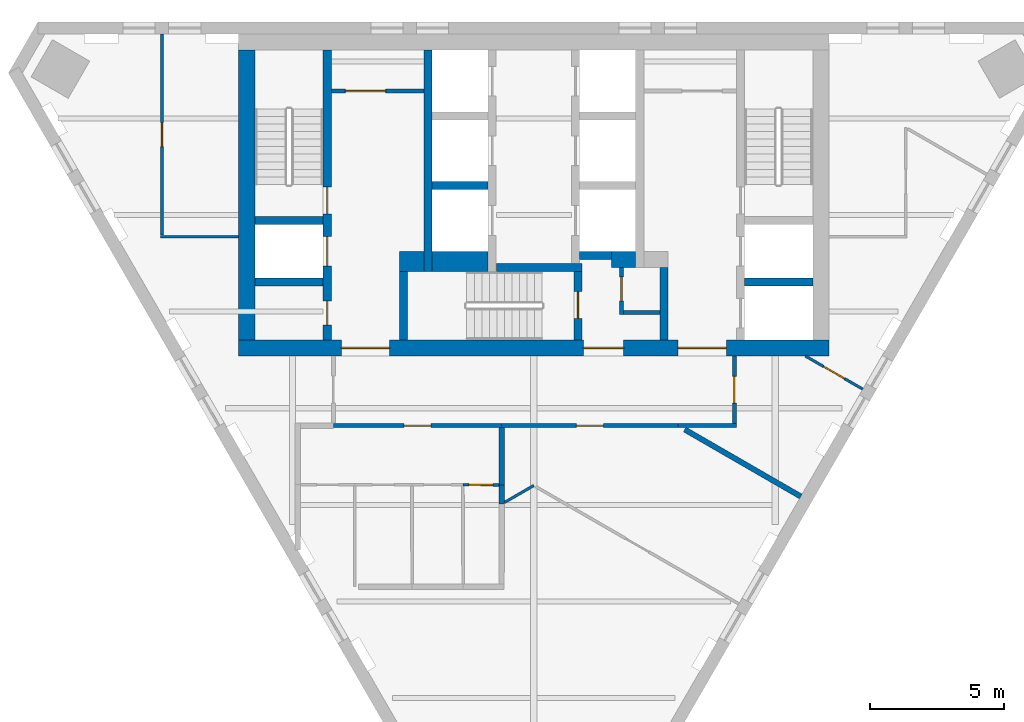
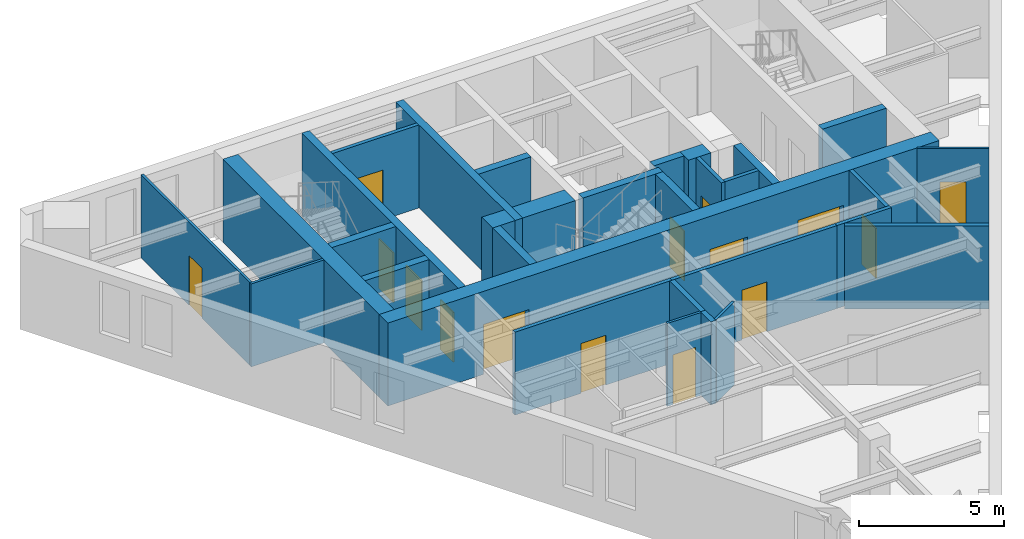
# One storey, part 3 of 6: 31 walls, 15 doors, 15 openings.
"""IFC4 building model written with IfcOpenShell, lengths in metres."""

from ifc_helpers import new_model, si_unit, direction, frame, frame_2d, origin, place, context, subcontext, project, spatial, rectangle, extrude, material, layer, layer_set, type_object, element, fill, save


model = new_model("IFC4")

# Units and contexts
model_context = context("Model", 3, precision=1e-05, world=origin(), true_north=direction((0.0, 1.0)))
body_context = subcontext(model_context, "Body", "Model", "MODEL_VIEW")
ifc_project = project(units=[si_unit("LENGTHUNIT", "METRE"), si_unit("AREAUNIT", "SQUARE_METRE"), si_unit("VOLUMEUNIT", "CUBIC_METRE"), si_unit("PLANEANGLEUNIT", "RADIAN"), si_unit("MASSUNIT", "GRAM", prefix="KILO")], contexts=[model_context])

# Site, building, storey
site_placement = place(None, origin())
site = spatial("IfcSite", under=ifc_project, at=site_placement, CompositionType="ELEMENT")
building_placement = place(site_placement, origin())
building = spatial("IfcBuilding", under=site, at=building_placement, Name="Aloe Facet Convention Tower", CompositionType="ELEMENT")
storey_placement = place(building_placement, frame((0.0, 0.0, 281.60009765625)))
storey = spatial("IfcBuildingStorey", under=building, at=storey_placement, Name="L69", CompositionType="ELEMENT", Elevation=281.60009765625)

# Wall, opening, door
ifc_material_1 = material(Name="Concrete blockwork partition", Category="masonry")
ifc_layer_1 = layer(ifc_material_1, 0.14990234375)
ifc_layer_set_1 = layer_set([ifc_layer_1], Name="CR-W-PART150")
wall_type_1 = type_object("IfcWallType", Name="CR-W-PART150", PredefinedType="PARTITIONING", material=ifc_layer_set_1)
wall_1_placement = place(storey_placement, frame((72.449951171875, 132.425048828125, 0.0), z_axis=(0.0, 0.0, 1.0), x_axis=(1.0, 0.0, 0.0)))
wall_1 = element("IfcWall", 1, at=wall_1_placement, inside=storey, type_object=wall_type_1, Name="Core partition L69-007", PredefinedType="PARTITIONING", context=body_context, shape_type="SweptSolid", body=[
    extrude(rectangle(XDim=3.449951171875, YDim=0.14990234375, at=frame_2d((1.72509765625, 0.0))), origin(), (0.0, 0.0, 1.0), 3.5),
])
opening_1_placement = place(wall_1_placement, frame((0.52490234375, 0.0, 0.0)))
opening_1 = element("IfcOpeningElement", 2, at=opening_1_placement, cuts=wall_1, Name="Opening L69-CD14", PredefinedType="OPENING", context=body_context, shape_type="SweptSolid", body=[
    extrude(rectangle(XDim=1.5, YDim=2.10009765625, at=frame_2d((0.75, 1.050048828125))), frame((0.0, 0.0849609375, 0.0), z_axis=(0.0, -1.0, 0.0), x_axis=(1.0, 0.0, 0.0)), (0.0, 0.0, 1.0), 0.169921875),
])
ifc_material_2 = material(Name="Steel fire-resisting door set FD60", Category="steel")
door_type_1 = type_object("IfcDoorType", Name="CR-D-REFUGE-1500-FD60-DD", OperationType="DOUBLE_DOOR_DOUBLE_SWING", PredefinedType="DOOR", material=ifc_material_2)
door_1_placement = place(opening_1_placement, origin())
door_1 = element("IfcDoor", 3, at=door_1_placement, inside=storey, type_object=door_type_1, Name="Core door L69-CD14", OperationType="DOUBLE_DOOR_DOUBLE_SWING", OverallHeight=2.10009765625, OverallWidth=1.5, PredefinedType="DOOR", context=body_context, shape_type="SweptSolid", body=[
    extrude(rectangle(XDim=1.5, YDim=2.10009765625, at=frame_2d((0.75, 1.050048828125))), frame((0.0, 0.02490234375, 0.0), z_axis=(0.0, -1.0, 0.0), x_axis=(1.0, 0.0, 0.0)), (0.0, 0.0, 1.0), 0.050048828125),
])
fill(opening_1, door_1)

wall_2_placement = place(storey_placement, frame((83.27490234375, 125.85009765625, 0.0), z_axis=(0.0, 0.0, 1.0), x_axis=(0.0, -1.0, 0.0)))
wall_2 = element("IfcWall", 4, at=wall_2_placement, inside=storey, type_object=wall_type_1, Name="Core partition L69-022", PredefinedType="PARTITIONING", context=body_context, shape_type="SweptSolid", body=[
    extrude(rectangle(XDim=1.75, YDim=0.14990234375, at=frame_2d((0.875, 0.0))), origin(), (0.0, 0.0, 1.0), 3.5),
])
opening_2_placement = place(wall_2_placement, frame((0.35009765625, 0.0, 0.0)))
opening_2 = element("IfcOpeningElement", 5, at=opening_2_placement, cuts=wall_2, Name="Opening L69-CD12", PredefinedType="OPENING", context=body_context, shape_type="SweptSolid", body=[
    extrude(rectangle(XDim=0.89990234375, YDim=2.10009765625, at=frame_2d((0.449951171875, 1.050048828125))), frame((0.0, 0.0849609375, 0.0), z_axis=(0.0, -1.0, 0.0), x_axis=(1.0, 0.0, 0.0)), (0.0, 0.0, 1.0), 0.169921875),
])
ifc_material_3 = material(Name="Steel fire-resisting door set FD60", Category="steel")
door_type_2 = type_object("IfcDoorType", Name="CR-D-REFUGE-900-FD60-SRIGHT", OperationType="SINGLE_SWING_RIGHT", PredefinedType="DOOR", material=ifc_material_3)
door_2_placement = place(opening_2_placement, origin())
door_2 = element("IfcDoor", 6, at=door_2_placement, inside=storey, type_object=door_type_2, Name="Core door L69-CD12", OperationType="SINGLE_SWING_RIGHT", OverallHeight=2.10009765625, OverallWidth=0.89990234375, PredefinedType="DOOR", context=body_context, shape_type="SweptSolid", body=[
    extrude(rectangle(XDim=0.89990234375, YDim=2.10009765625, at=frame_2d((0.449951171875, 1.050048828125))), frame((0.0, 0.02490234375, 0.0), z_axis=(0.0, -1.0, 0.0), x_axis=(1.0, 0.0, 0.0)), (0.0, 0.0, 1.0), 0.050048828125),
])
fill(opening_2, door_2)

# Walls
wall_3_placement = place(storey_placement, frame((83.35009765625, 124.175048828125, 0.0), z_axis=(0.0, 0.0, 1.0), x_axis=(1.0, 0.0, 0.0)))
element("IfcWall", 7, at=wall_3_placement, inside=storey, type_object=wall_type_1, Name="Core partition L69-023", PredefinedType="PARTITIONING", context=body_context, shape_type="SweptSolid", body=[
    extrude(rectangle(XDim=1.349853515625, YDim=0.14990234375, at=frame_2d((0.6748046875, 0.0))), origin(), (0.0, 0.0, 1.0), 3.5),
])
ifc_material_4 = material(Name="Concrete C50/60", Category="concrete")
ifc_layer_2 = layer(ifc_material_4, 0.300048828125)
ifc_layer_set_2 = layer_set([ifc_layer_2], Name="CR-W-RC300-C5060")
wall_type_2 = type_object("IfcWallType", Name="CR-W-RC300-C5060", PredefinedType="SOLIDWALL", material=ifc_layer_set_2)
for number, where, z_axis, x_axis, name in (
    (8, (69.60009765625, 127.60009765625, 0.0), (0.0, 0.0, 1.0), (1.0, 0.0, 0.0), "Core wall L69-004"),
    (9, (69.60009765625, 125.300048828125, 0.0), (0.0, 0.0, 1.0), (1.0, 0.0, 0.0), "Core wall L69-005"),
):
    element("IfcWall", number, at=place(storey_placement, frame(where, z_axis=z_axis, x_axis=x_axis)), inside=storey, type_object=wall_type_2, Name=name, PredefinedType="SOLIDWALL", context=body_context, shape_type="SweptSolid", body=[
        extrude(rectangle(XDim=2.5498046875, YDim=0.300048828125, at=frame_2d((1.27490234375, 0.0))), origin(), (0.0, 0.0, 1.0), 3.5),
    ])

# Wall, openings, doors
wall_4_placement = place(storey_placement, frame((72.300048828125, 133.949951171875, 0.0), z_axis=(0.0, 0.0, 1.0), x_axis=(0.0, -1.0, 0.0)))
wall_4 = element("IfcWall", 10, at=wall_4_placement, inside=storey, type_object=wall_type_2, Name="Core wall L69-006", PredefinedType="SOLIDWALL", context=body_context, shape_type="SweptSolid", body=[
    extrude(rectangle(XDim=10.800048828125, YDim=0.300048828125, at=frame_2d((5.39990234375, 0.0))), origin(), (0.0, 0.0, 1.0), 3.5),
])
opening_3_placement = place(wall_4_placement, frame((6.949951171875, 0.0, 0.0)))
opening_3 = element("IfcOpeningElement", 11, at=opening_3_placement, cuts=wall_4, Name="Opening LD-FF1-L69", PredefinedType="OPENING", context=body_context, shape_type="SweptSolid", body=[
    extrude(rectangle(XDim=1.10009765625, YDim=2.10009765625, at=frame_2d((0.550048828125, 1.050048828125))), frame((0.0, 0.16015625, 0.0), z_axis=(0.0, -1.0, 0.0), x_axis=(1.0, 0.0, 0.0)), (0.0, 0.0, 1.0), 0.320068359375),
])
opening_4_placement = place(wall_4_placement, frame((9.35009765625, 0.0, 0.0)))
opening_4 = element("IfcOpeningElement", 12, at=opening_4_placement, cuts=wall_4, Name="Opening L69-CD15", PredefinedType="OPENING", context=body_context, shape_type="SweptSolid", body=[
    extrude(rectangle(XDim=0.89990234375, YDim=2.10009765625, at=frame_2d((0.449951171875, 1.050048828125))), frame((0.0, 0.16015625, 0.0), z_axis=(0.0, -1.0, 0.0), x_axis=(1.0, 0.0, 0.0)), (0.0, 0.0, 1.0), 0.320068359375),
])
opening_5_placement = place(wall_4_placement, frame((5.10009765625, 0.0, 0.0)))
opening_5 = element("IfcOpeningElement", 13, at=opening_5_placement, cuts=wall_4, Name="Opening L69-CD16", PredefinedType="OPENING", context=body_context, shape_type="SweptSolid", body=[
    extrude(rectangle(XDim=1.0, YDim=2.10009765625, at=frame_2d((0.5, 1.050048828125))), frame((0.0, 0.16015625, 0.0), z_axis=(0.0, -1.0, 0.0), x_axis=(1.0, 0.0, 0.0)), (0.0, 0.0, 1.0), 0.320068359375),
])
ifc_material_5 = material(Name="Steel fire-resisting door set FD60", Category="steel")
door_type_3 = type_object("IfcDoorType", Name="CR-D-ROOM-900-FD60-SLEFT", OperationType="SINGLE_SWING_LEFT", PredefinedType="DOOR", material=ifc_material_5)
door_3_placement = place(opening_4_placement, origin())
door_3 = element("IfcDoor", 14, at=door_3_placement, inside=storey, type_object=door_type_3, Name="Core door L69-CD15", OperationType="SINGLE_SWING_LEFT", OverallHeight=2.10009765625, OverallWidth=0.89990234375, PredefinedType="DOOR", context=body_context, shape_type="SweptSolid", body=[
    extrude(rectangle(XDim=0.89990234375, YDim=2.10009765625, at=frame_2d((0.449951171875, 1.050048828125))), frame((0.0, 0.02490234375, 0.0), z_axis=(0.0, -1.0, 0.0), x_axis=(1.0, 0.0, 0.0)), (0.0, 0.0, 1.0), 0.050048828125),
])
fill(opening_4, door_3)
ifc_material_6 = material(Name="Steel fire-resisting door set FD120", Category="steel")
door_type_4 = type_object("IfcDoorType", Name="CR-D-STAIR-1000-FD120-SRIGHT", OperationType="SINGLE_SWING_RIGHT", PredefinedType="DOOR", material=ifc_material_6)
door_4_placement = place(opening_5_placement, origin())
door_4 = element("IfcDoor", 15, at=door_4_placement, inside=storey, type_object=door_type_4, Name="Core door L69-CD16", OperationType="SINGLE_SWING_RIGHT", OverallHeight=2.10009765625, OverallWidth=1.0, PredefinedType="DOOR", context=body_context, shape_type="SweptSolid", body=[
    extrude(rectangle(XDim=1.0, YDim=2.10009765625, at=frame_2d((0.5, 1.050048828125))), frame((0.0, 0.02490234375, 0.0), z_axis=(0.0, -1.0, 0.0), x_axis=(1.0, 0.0, 0.0)), (0.0, 0.0, 1.0), 0.050048828125),
])
fill(opening_5, door_4)
ifc_material_7 = material(Name="Stainless steel sliding landing door", Category="steel")
door_type_5 = type_object("IfcDoorType", Name="CR-LD-1100-FD120-_LEFT", OperationType="SLIDING_TO_LEFT", PredefinedType="DOOR", material=ifc_material_7)
door_5_placement = place(opening_3_placement, origin())
door_5 = element("IfcDoor", 16, at=door_5_placement, inside=storey, type_object=door_type_5, Name="Landing door FF1 L69", OperationType="SLIDING_TO_LEFT", OverallHeight=2.10009765625, OverallWidth=1.10009765625, PredefinedType="DOOR", context=body_context, shape_type="SweptSolid", body=[
    extrude(rectangle(XDim=1.10009765625, YDim=2.10009765625, at=frame_2d((0.550048828125, 1.050048828125))), frame((0.0, 0.02490234375, 0.0), z_axis=(0.0, -1.0, 0.0), x_axis=(1.0, 0.0, 0.0)), (0.0, 0.0, 1.0), 0.050048828125),
])
fill(opening_3, door_5)

# Walls
wall_5_placement = place(storey_placement, frame((75.14990234375, 125.699951171875, 0.0), z_axis=(0.0, 0.0, 1.0), x_axis=(0.0, -1.0, 0.0)))
element("IfcWall", 17, at=wall_5_placement, inside=storey, type_object=wall_type_2, Name="Core wall L69-009", PredefinedType="SOLIDWALL", context=body_context, shape_type="SweptSolid", body=[
    extrude(rectangle(XDim=2.550048828125, YDim=0.300048828125, at=frame_2d((1.27490234375, 0.0))), origin(), (0.0, 0.0, 1.0), 3.5),
])
wall_6_placement = place(storey_placement, frame((76.050048828125, 133.949951171875, 0.0), z_axis=(0.0, 0.0, 1.0), x_axis=(0.0, -1.0, 0.0)))
element("IfcWall", 18, at=wall_6_placement, inside=storey, type_object=wall_type_2, Name="Core wall L69-010", PredefinedType="SOLIDWALL", context=body_context, shape_type="SweptSolid", body=[
    extrude(rectangle(XDim=8.25, YDim=0.300048828125, at=frame_2d((4.125, 0.0))), origin(), (0.0, 0.0, 1.0), 3.5),
])
wall_7_placement = place(storey_placement, frame((76.199951171875, 128.89990234375, 0.0), z_axis=(0.0, 0.0, 1.0), x_axis=(1.0, 0.0, 0.0)))
element("IfcWall", 19, at=wall_7_placement, inside=storey, type_object=wall_type_2, Name="Core wall L69-012", PredefinedType="SOLIDWALL", context=body_context, shape_type="SweptSolid", body=[
    extrude(rectangle(XDim=2.10009765625, YDim=0.300048828125, at=frame_2d((1.050048828125, 0.0))), origin(), (0.0, 0.0, 1.0), 3.5),
])
wall_8_placement = place(storey_placement, frame((78.60009765625, 125.85009765625, 0.0), z_axis=(0.0, 0.0, 1.0), x_axis=(1.0, 0.0, 0.0)))
element("IfcWall", 20, at=wall_8_placement, inside=storey, type_object=wall_type_2, Name="Core wall L69-015", PredefinedType="SOLIDWALL", context=body_context, shape_type="SweptSolid", body=[
    extrude(rectangle(XDim=3.199951171875, YDim=0.300048828125, at=frame_2d((1.60009765625, 0.0))), origin(), (0.0, 0.0, 1.0), 3.5),
])

# Wall, opening, door
wall_9_placement = place(storey_placement, frame((81.64990234375, 125.699951171875, 0.0), z_axis=(0.0, 0.0, 1.0), x_axis=(0.0, -1.0, 0.0)))
wall_9 = element("IfcWall", 21, at=wall_9_placement, inside=storey, type_object=wall_type_2, Name="Core wall L69-017", PredefinedType="SOLIDWALL", context=body_context, shape_type="SweptSolid", body=[
    extrude(rectangle(XDim=2.550048828125, YDim=0.300048828125, at=frame_2d((1.27490234375, 0.0))), origin(), (0.0, 0.0, 1.0), 3.5),
])
opening_6_placement = place(wall_9_placement, frame((0.75, 0.0, 0.0)))
opening_6 = element("IfcOpeningElement", 22, at=opening_6_placement, cuts=wall_9, Name="Opening L69-CD18", PredefinedType="OPENING", context=body_context, shape_type="SweptSolid", body=[
    extrude(rectangle(XDim=1.0, YDim=2.10009765625, at=frame_2d((0.5, 1.050048828125))), frame((0.0, 0.16015625, 0.0), z_axis=(0.0, -1.0, 0.0), x_axis=(1.0, 0.0, 0.0)), (0.0, 0.0, 1.0), 0.320068359375),
])
ifc_material_8 = material(Name="Steel fire-resisting door set FD120", Category="steel")
door_type_6 = type_object("IfcDoorType", Name="CR-D-STAIR-1000-FD120-SLEFT", OperationType="SINGLE_SWING_LEFT", PredefinedType="DOOR", material=ifc_material_8)
door_6_placement = place(opening_6_placement, origin())
door_6 = element("IfcDoor", 23, at=door_6_placement, inside=storey, type_object=door_type_6, Name="Core door L69-CD18", OperationType="SINGLE_SWING_LEFT", OverallHeight=2.10009765625, OverallWidth=1.0, PredefinedType="DOOR", context=body_context, shape_type="SweptSolid", body=[
    extrude(rectangle(XDim=1.0, YDim=2.10009765625, at=frame_2d((0.5, 1.050048828125))), frame((0.0, 0.02490234375, 0.0), z_axis=(0.0, -1.0, 0.0), x_axis=(1.0, 0.0, 0.0)), (0.0, 0.0, 1.0), 0.050048828125),
])
fill(opening_6, door_6)

# Walls
wall_10_placement = place(storey_placement, frame((81.699951171875, 126.300048828125, 0.0), z_axis=(0.0, 0.0, 1.0), x_axis=(1.0, 0.0, 0.0)))
element("IfcWall", 24, at=wall_10_placement, inside=storey, type_object=wall_type_2, Name="Core wall L69-020", PredefinedType="SOLIDWALL", context=body_context, shape_type="SweptSolid", body=[
    extrude(rectangle(XDim=1.199951171875, YDim=0.300048828125, at=frame_2d((0.60009765625, 0.0))), origin(), (0.0, 0.0, 1.0), 3.5),
])
wall_11_placement = place(storey_placement, frame((84.85009765625, 125.85009765625, 0.0), z_axis=(0.0, 0.0, 1.0), x_axis=(0.0, -1.0, 0.0)))
element("IfcWall", 25, at=wall_11_placement, inside=storey, type_object=wall_type_2, Name="Core wall L69-027", PredefinedType="SOLIDWALL", context=body_context, shape_type="SweptSolid", body=[
    extrude(rectangle(XDim=2.7001953125, YDim=0.300048828125, at=frame_2d((1.35009765625, 0.0))), origin(), (0.0, 0.0, 1.0), 3.5),
])
wall_12_placement = place(storey_placement, frame((87.85009765625, 125.300048828125, 0.0), z_axis=(0.0, 0.0, 1.0), x_axis=(1.0, 0.0, 0.0)))
element("IfcWall", 26, at=wall_12_placement, inside=storey, type_object=wall_type_2, Name="Core wall L69-030", PredefinedType="SOLIDWALL", context=body_context, shape_type="SweptSolid", body=[
    extrude(rectangle(XDim=2.5498046875, YDim=0.300048828125, at=frame_2d((1.27490234375, 0.0))), origin(), (0.0, 0.0, 1.0), 3.5),
])
ifc_material_9 = material(Name="Concrete C50/60", Category="concrete")
ifc_layer_3 = layer(ifc_material_9, 0.60009765625)
ifc_layer_set_3 = layer_set([ifc_layer_3], Name="CR-W-RC600-C5060")
wall_type_3 = type_object("IfcWallType", Name="CR-W-RC600-C5060", PredefinedType="SOLIDWALL", material=ifc_layer_set_3)
wall_13_placement = place(storey_placement, frame((69.300048828125, 133.949951171875, 0.0), z_axis=(0.0, 0.0, 1.0), x_axis=(0.0, -1.0, 0.0)))
element("IfcWall", 27, at=wall_13_placement, inside=storey, type_object=wall_type_3, Name="Core wall L69-002", PredefinedType="SOLIDWALL", context=body_context, shape_type="SweptSolid", body=[
    extrude(rectangle(XDim=10.800048828125, YDim=0.60009765625, at=frame_2d((5.39990234375, 0.0))), origin(), (0.0, 0.0, 1.0), 3.5),
])

# Wall, openings, doors
wall_14_placement = place(storey_placement, frame((69.0, 122.85009765625, 0.0), z_axis=(0.0, 0.0, 1.0), x_axis=(1.0, 0.0, 0.0)))
wall_14 = element("IfcWall", 28, at=wall_14_placement, inside=storey, type_object=wall_type_3, Name="Core wall L69-003", PredefinedType="SOLIDWALL", context=body_context, shape_type="SweptSolid", body=[
    extrude(rectangle(XDim=22.0, YDim=0.60009765625, at=frame_2d((11.0, 0.0))), origin(), (0.0, 0.0, 1.0), 3.5),
])
opening_7_placement = place(wall_14_placement, frame((16.375, 0.0, 0.0)))
opening_7 = element("IfcOpeningElement", 29, at=opening_7_placement, cuts=wall_14, Name="Opening L69-CD09", PredefinedType="OPENING", context=body_context, shape_type="SweptSolid", body=[
    extrude(rectangle(XDim=1.800048828125, YDim=2.10009765625, at=frame_2d((0.89990234375, 1.050048828125))), frame((0.0, 0.31005859375, 0.0), z_axis=(0.0, -1.0, 0.0), x_axis=(1.0, 0.0, 0.0)), (0.0, 0.0, 1.0), 0.6201171875),
])
opening_8_placement = place(wall_14_placement, frame((3.824951171875, 0.0, 0.0)))
opening_8 = element("IfcOpeningElement", 30, at=opening_8_placement, cuts=wall_14, Name="Opening L69-CD10", PredefinedType="OPENING", context=body_context, shape_type="SweptSolid", body=[
    extrude(rectangle(XDim=1.800048828125, YDim=2.10009765625, at=frame_2d((0.89990234375, 1.050048828125))), frame((0.0, 0.31005859375, 0.0), z_axis=(0.0, -1.0, 0.0), x_axis=(1.0, 0.0, 0.0)), (0.0, 0.0, 1.0), 0.6201171875),
])
opening_9_placement = place(wall_14_placement, frame((12.85009765625, 0.0, 0.0)))
opening_9 = element("IfcOpeningElement", 31, at=opening_9_placement, cuts=wall_14, Name="Opening L69-CD11", PredefinedType="OPENING", context=body_context, shape_type="SweptSolid", body=[
    extrude(rectangle(XDim=1.5, YDim=2.10009765625, at=frame_2d((0.75, 1.050048828125))), frame((0.0, 0.31005859375, 0.0), z_axis=(0.0, -1.0, 0.0), x_axis=(1.0, 0.0, 0.0)), (0.0, 0.0, 1.0), 0.6201171875),
])
ifc_material_10 = material(Name="Steel fire-resisting door set FD60", Category="steel")
door_type_7 = type_object("IfcDoorType", Name="CR-D-EXIT-1500-FD60-DD", OperationType="DOUBLE_DOOR_DOUBLE_SWING", PredefinedType="DOOR", material=ifc_material_10)
door_7_placement = place(opening_9_placement, origin())
door_7 = element("IfcDoor", 32, at=door_7_placement, inside=storey, type_object=door_type_7, Name="Core door L69-CD11", OperationType="DOUBLE_DOOR_DOUBLE_SWING", OverallHeight=2.10009765625, OverallWidth=1.5, PredefinedType="DOOR", context=body_context, shape_type="SweptSolid", body=[
    extrude(rectangle(XDim=1.5, YDim=2.10009765625, at=frame_2d((0.75, 1.050048828125))), frame((0.0, 0.02490234375, 0.0), z_axis=(0.0, -1.0, 0.0), x_axis=(1.0, 0.0, 0.0)), (0.0, 0.0, 1.0), 0.050048828125),
])
fill(opening_9, door_7)
ifc_material_11 = material(Name="Steel fire-resisting door set FD120", Category="steel")
door_type_8 = type_object("IfcDoorType", Name="CR-D-EXIT-1800-FD120-DD", OperationType="DOUBLE_DOOR_DOUBLE_SWING", PredefinedType="DOOR", material=ifc_material_11)
door_8_placement = place(opening_7_placement, origin())
door_8 = element("IfcDoor", 33, at=door_8_placement, inside=storey, type_object=door_type_8, Name="Core door L69-CD09", OperationType="DOUBLE_DOOR_DOUBLE_SWING", OverallHeight=2.10009765625, OverallWidth=1.800048828125, PredefinedType="DOOR", context=body_context, shape_type="SweptSolid", body=[
    extrude(rectangle(XDim=1.800048828125, YDim=2.10009765625, at=frame_2d((0.89990234375, 1.050048828125))), frame((0.0, 0.02490234375, 0.0), z_axis=(0.0, -1.0, 0.0), x_axis=(1.0, 0.0, 0.0)), (0.0, 0.0, 1.0), 0.050048828125),
])
fill(opening_7, door_8)
door_9_placement = place(opening_8_placement, origin())
door_9 = element("IfcDoor", 34, at=door_9_placement, inside=storey, type_object=door_type_8, Name="Core door L69-CD10", OperationType="DOUBLE_DOOR_DOUBLE_SWING", OverallHeight=2.10009765625, OverallWidth=1.800048828125, PredefinedType="DOOR", context=body_context, shape_type="SweptSolid", body=[
    extrude(rectangle(XDim=1.800048828125, YDim=2.10009765625, at=frame_2d((0.89990234375, 1.050048828125))), frame((0.0, 0.02490234375, 0.0), z_axis=(0.0, -1.0, 0.0), x_axis=(1.0, 0.0, 0.0)), (0.0, 0.0, 1.0), 0.050048828125),
])
fill(opening_8, door_9)

# Walls
wall_15_placement = place(storey_placement, frame((82.89990234375, 126.14990234375, 0.0), z_axis=(0.0, 0.0, 1.0), x_axis=(1.0, 0.0, 0.0)))
element("IfcWall", 35, at=wall_15_placement, inside=storey, type_object=wall_type_3, Name="Core wall L69-021", PredefinedType="SOLIDWALL", context=body_context, shape_type="SweptSolid", body=[
    extrude(rectangle(XDim=0.900146484375, YDim=0.60009765625, at=frame_2d((0.4501953125, 0.0))), origin(), (0.0, 0.0, 1.0), 3.5),
])
ifc_material_12 = material(Name="Concrete C50/60", Category="concrete")
ifc_layer_4 = layer(ifc_material_12, 0.75)
ifc_layer_set_4 = layer_set([ifc_layer_4], Name="CR-W-RC750-C5060")
wall_type_4 = type_object("IfcWallType", Name="CR-W-RC750-C5060", PredefinedType="SOLIDWALL", material=ifc_layer_set_4)
wall_16_placement = place(storey_placement, frame((75.0, 126.074951171875, 0.0), z_axis=(0.0, 0.0, 1.0), x_axis=(1.0, 0.0, 0.0)))
element("IfcWall", 36, at=wall_16_placement, inside=storey, type_object=wall_type_4, Name="Core wall L69-008", PredefinedType="SOLIDWALL", context=body_context, shape_type="SweptSolid", body=[
    extrude(rectangle(XDim=0.89990234375, YDim=0.75, at=frame_2d((0.449951171875, 0.0))), origin(), (0.0, 0.0, 1.0), 3.5),
])
wall_17_placement = place(storey_placement, frame((76.199951171875, 126.074951171875, 0.0), z_axis=(0.0, 0.0, 1.0), x_axis=(1.0, 0.0, 0.0)))
element("IfcWall", 37, at=wall_17_placement, inside=storey, type_object=wall_type_4, Name="Core wall L69-013", PredefinedType="SOLIDWALL", context=body_context, shape_type="SweptSolid", body=[
    extrude(rectangle(XDim=2.10009765625, YDim=0.75, at=frame_2d((1.050048828125, 0.0))), origin(), (0.0, 0.0, 1.0), 3.5),
])

# Wall, opening, door
ifc_material_13 = material(Name="Gypsum board partition on steel studs", Category="steel")
ifc_layer_5 = layer(ifc_material_13, 0.14990234375)
ifc_layer_set_5 = layer_set([ifc_layer_5], Name="IN-W-CORR")
wall_type_5 = type_object("IfcWallType", Name="IN-W-CORR", PredefinedType="PARTITIONING", material=ifc_layer_set_5)
wall_18_placement = place(storey_placement, frame((72.52490234375, 119.949951171875, 0.0), z_axis=(0.0, 0.0, 1.0), x_axis=(1.0, 0.0, 0.0)))
wall_18 = element("IfcWall", 38, at=wall_18_placement, inside=storey, type_object=wall_type_5, Name="Partition L69-W021", PredefinedType="PARTITIONING", context=body_context, shape_type="SweptSolid", body=[
    extrude(rectangle(XDim=6.275146484375, YDim=0.14990234375, at=frame_2d((3.1376953125, 0.0))), origin(), (0.0, 0.0, 1.0), 3.5),
])
opening_10_placement = place(wall_18_placement, frame((2.637451171875, 0.0, 0.0)))
opening_10 = element("IfcOpeningElement", 39, at=opening_10_placement, cuts=wall_18, Name="Opening L69-001", PredefinedType="OPENING", context=body_context, shape_type="SweptSolid", body=[
    extrude(rectangle(XDim=1.0, YDim=2.10009765625, at=frame_2d((0.5, 1.050048828125))), frame((0.0, 0.0849609375, 0.0), z_axis=(0.0, -1.0, 0.0), x_axis=(1.0, 0.0, 0.0)), (0.0, 0.0, 1.0), 0.169921875),
])
ifc_material_14 = material(Name="Timber door FD30S with vision panel", Category="wood")
door_type_9 = type_object("IfcDoorType", Name="IN-OFF-D-ENTRY", OperationType="SINGLE_SWING_LEFT", PredefinedType="DOOR", material=ifc_material_14)
door_10_placement = place(opening_10_placement, origin())
door_10 = element("IfcDoor", 40, at=door_10_placement, inside=storey, type_object=door_type_9, Name="Door L69-001", OperationType="SINGLE_SWING_LEFT", OverallHeight=2.10009765625, OverallWidth=1.0, PredefinedType="DOOR", context=body_context, shape_type="SweptSolid", body=[
    extrude(rectangle(XDim=1.0, YDim=2.10009765625, at=frame_2d((0.5, 1.050048828125))), frame((0.0, 0.02490234375, 0.0), z_axis=(0.0, -1.0, 0.0), x_axis=(1.0, 0.0, 0.0)), (0.0, 0.0, 1.0), 0.050048828125),
])
fill(opening_10, door_10)

wall_19_placement = place(storey_placement, frame((78.800048828125, 119.949951171875, 0.0), z_axis=(0.0, 0.0, 1.0), x_axis=(1.0, 0.0, 0.0)))
wall_19 = element("IfcWall", 41, at=wall_19_placement, inside=storey, type_object=wall_type_5, Name="Partition L69-W022", PredefinedType="PARTITIONING", context=body_context, shape_type="SweptSolid", body=[
    extrude(rectangle(XDim=6.5810546875, YDim=0.14990234375, at=frame_2d((3.29052734375, 0.0))), origin(), (0.0, 0.0, 1.0), 3.5),
])
opening_11_placement = place(wall_19_placement, frame((2.79052734375, 0.0, 0.0)))
opening_11 = element("IfcOpeningElement", 42, at=opening_11_placement, cuts=wall_19, Name="Opening L69-009", PredefinedType="OPENING", context=body_context, shape_type="SweptSolid", body=[
    extrude(rectangle(XDim=1.0, YDim=2.10009765625, at=frame_2d((0.5, 1.050048828125))), frame((0.0, 0.0849609375, 0.0), z_axis=(0.0, -1.0, 0.0), x_axis=(1.0, 0.0, 0.0)), (0.0, 0.0, 1.0), 0.169921875),
])
door_11_placement = place(opening_11_placement, origin())
door_11 = element("IfcDoor", 43, at=door_11_placement, inside=storey, type_object=door_type_9, Name="Door L69-009", OperationType="SINGLE_SWING_LEFT", OverallHeight=2.10009765625, OverallWidth=1.0, PredefinedType="DOOR", context=body_context, shape_type="SweptSolid", body=[
    extrude(rectangle(XDim=1.0, YDim=2.10009765625, at=frame_2d((0.5, 1.050048828125))), frame((0.0, 0.02490234375, 0.0), z_axis=(0.0, -1.0, 0.0), x_axis=(1.0, 0.0, 0.0)), (0.0, 0.0, 1.0), 0.050048828125),
])
fill(opening_11, door_11)

# Wall
wall_20_placement = place(storey_placement, frame((85.381103515625, 119.949951171875, 0.0), z_axis=(0.0, 0.0, 1.0), x_axis=(1.0, 0.0, 0.0)))
element("IfcWall", 44, at=wall_20_placement, inside=storey, type_object=wall_type_5, Name="Partition L69-W023", PredefinedType="PARTITIONING", context=body_context, shape_type="SweptSolid", body=[
    extrude(rectangle(XDim=2.1689453125, YDim=0.14990234375, at=frame_2d((1.08447265625, 0.0))), origin(), (0.0, 0.0, 1.0), 3.5),
])

# Wall, opening, door
wall_21_placement = place(storey_placement, frame((87.47509765625, 120.02490234375, 0.0), z_axis=(0.0, 0.0, 1.0), x_axis=(0.0, 1.0, 0.0)))
wall_21 = element("IfcWall", 45, at=wall_21_placement, inside=storey, type_object=wall_type_5, Name="Partition L69-W025", PredefinedType="PARTITIONING", context=body_context, shape_type="SweptSolid", body=[
    extrude(rectangle(XDim=2.525146484375, YDim=0.14990234375, at=frame_2d((1.2626953125, 0.0))), origin(), (0.0, 0.0, 1.0), 3.5),
])
opening_12_placement = place(wall_21_placement, frame((0.762451171875, 0.0, 0.0)))
opening_12 = element("IfcOpeningElement", 46, at=opening_12_placement, cuts=wall_21, Name="Opening L69-010", PredefinedType="OPENING", context=body_context, shape_type="SweptSolid", body=[
    extrude(rectangle(XDim=1.0, YDim=2.10009765625, at=frame_2d((0.5, 1.050048828125))), frame((0.0, 0.0849609375, 0.0), z_axis=(0.0, -1.0, 0.0), x_axis=(1.0, 0.0, 0.0)), (0.0, 0.0, 1.0), 0.169921875),
])
door_12_placement = place(opening_12_placement, origin())
door_12 = element("IfcDoor", 47, at=door_12_placement, inside=storey, type_object=door_type_9, Name="Door L69-010", OperationType="SINGLE_SWING_LEFT", OverallHeight=2.10009765625, OverallWidth=1.0, PredefinedType="DOOR", context=body_context, shape_type="SweptSolid", body=[
    extrude(rectangle(XDim=1.0, YDim=2.10009765625, at=frame_2d((0.5, 1.050048828125))), frame((0.0, 0.02490234375, 0.0), z_axis=(0.0, -1.0, 0.0), x_axis=(1.0, 0.0, 0.0)), (0.0, 0.0, 1.0), 0.050048828125),
])
fill(opening_12, door_12)

# Wall
ifc_material_15 = material(Name="Gypsum board partition on steel studs", Category="steel")
ifc_layer_6 = layer(ifc_material_15, 0.10009765625)
ifc_layer_set_6 = layer_set([ifc_layer_6], Name="IN-W-PART")
wall_type_6 = type_object("IfcWallType", Name="IN-W-PART", PredefinedType="PARTITIONING", material=ifc_layer_set_6)
wall_22_placement = place(storey_placement, frame((78.91259765625, 117.092529296875, 0.0), z_axis=(0.0, 0.0, 1.0), x_axis=(0.866069023501, 0.499924440822, 0.0)))
element("IfcWall", 48, at=wall_22_placement, inside=storey, type_object=wall_type_6, Name="Partition L69-W005", PredefinedType="PARTITIONING", context=body_context, shape_type="SweptSolid", body=[
    extrude(rectangle(XDim=1.255615234375, YDim=0.10009765625, at=frame_2d((0.6279296875, 0.0))), origin(), (0.0, 0.0, 1.0), 3.5),
])

# Wall, opening, door
wall_23_placement = place(storey_placement, frame((77.35595703125, 117.75, 0.0), z_axis=(0.0, 0.0, 1.0), x_axis=(0.99997617642, -0.006902651172, 0.0)))
wall_23 = element("IfcWall", 49, at=wall_23_placement, inside=storey, type_object=wall_type_6, Name="Partition L69-W016", PredefinedType="PARTITIONING", context=body_context, shape_type="SweptSolid", body=[
    extrude(rectangle(XDim=1.343994140625, YDim=0.10009765625, at=frame_2d((0.671875, 0.0))), origin(), (0.0, 0.0, 1.0), 3.5),
])
opening_13_placement = place(wall_23_placement, frame((0.221923828125, 0.0, 0.0)))
opening_13 = element("IfcOpeningElement", 50, at=opening_13_placement, cuts=wall_23, Name="Opening L69-005", PredefinedType="OPENING", context=body_context, shape_type="SweptSolid", body=[
    extrude(rectangle(XDim=0.89990234375, YDim=2.10009765625, at=frame_2d((0.449951171875, 1.050048828125))), frame((0.0, 0.06005859375, 0.0), z_axis=(0.0, -1.0, 0.0), x_axis=(1.0, 0.0, 0.0)), (0.0, 0.0, 1.0), 0.1201171875),
])
ifc_material_16 = material(Name="Timber door", Category="wood")
door_type_10 = type_object("IfcDoorType", Name="IN-OFF-D-ROOM", OperationType="SINGLE_SWING_LEFT", PredefinedType="DOOR", material=ifc_material_16)
door_13_placement = place(opening_13_placement, origin())
door_13 = element("IfcDoor", 51, at=door_13_placement, inside=storey, type_object=door_type_10, Name="Door L69-005", OperationType="SINGLE_SWING_LEFT", OverallHeight=2.10009765625, OverallWidth=0.89990234375, PredefinedType="DOOR", context=body_context, shape_type="SweptSolid", body=[
    extrude(rectangle(XDim=0.89990234375, YDim=2.10009765625, at=frame_2d((0.449951171875, 1.050048828125))), frame((0.0, 0.02490234375, 0.0), z_axis=(0.0, -1.0, 0.0), x_axis=(1.0, 0.0, 0.0)), (0.0, 0.0, 1.0), 0.050048828125),
])
fill(opening_13, door_13)

wall_24_placement = place(storey_placement, frame((90.120849609375, 122.550048828125, 0.0), z_axis=(0.0, 0.0, 1.0), x_axis=(0.86604923931, -0.499958713387, 0.0)))
wall_24 = element("IfcWall", 52, at=wall_24_placement, inside=storey, type_object=wall_type_6, Name="Partition L69-W024", PredefinedType="PARTITIONING", context=body_context, shape_type="SweptSolid", body=[
    extrude(rectangle(XDim=2.474853515625, YDim=0.10009765625, at=frame_2d((1.2373046875, 0.0))), origin(), (0.0, 0.0, 1.0), 3.5),
])
opening_14_placement = place(wall_24_placement, frame((0.787353515625, 0.0, 0.0)))
opening_14 = element("IfcOpeningElement", 53, at=opening_14_placement, cuts=wall_24, Name="Opening L69-011", PredefinedType="OPENING", context=body_context, shape_type="SweptSolid", body=[
    extrude(rectangle(XDim=0.89990234375, YDim=2.10009765625, at=frame_2d((0.449951171875, 1.050048828125))), frame((0.0, 0.06005859375, 0.0), z_axis=(0.0, -1.0, 0.0), x_axis=(1.0, 0.0, 0.0)), (0.0, 0.0, 1.0), 0.1201171875),
])
door_14_placement = place(opening_14_placement, origin())
door_14 = element("IfcDoor", 54, at=door_14_placement, inside=storey, type_object=door_type_10, Name="Door L69-011", OperationType="SINGLE_SWING_LEFT", OverallHeight=2.10009765625, OverallWidth=0.89990234375, PredefinedType="DOOR", context=body_context, shape_type="SweptSolid", body=[
    extrude(rectangle(XDim=0.89990234375, YDim=2.10009765625, at=frame_2d((0.449951171875, 1.050048828125))), frame((0.0, 0.02490234375, 0.0), z_axis=(0.0, -1.0, 0.0), x_axis=(1.0, 0.0, 0.0)), (0.0, 0.0, 1.0), 0.050048828125),
])
fill(opening_14, door_14)

# Wall
wall_25_placement = place(storey_placement, frame((66.08740234375, 127.0, 0.0), z_axis=(0.0, 0.0, 1.0), x_axis=(1.0, 0.0, 0.0)))
element("IfcWall", 55, at=wall_25_placement, inside=storey, type_object=wall_type_6, Name="Partition L69-W026", PredefinedType="PARTITIONING", context=body_context, shape_type="SweptSolid", body=[
    extrude(rectangle(XDim=2.91259765625, YDim=0.10009765625, at=frame_2d((1.456298828125, 0.0))), origin(), (0.0, 0.0, 1.0), 3.5),
])

# Wall, opening, door
wall_26_placement = place(storey_placement, frame((66.137451171875, 127.050048828125, 0.0), z_axis=(0.0, 0.0, 1.0), x_axis=(-0.000260425135, 0.999999966089, 0.0)))
wall_26 = element("IfcWall", 56, at=wall_26_placement, inside=storey, type_object=wall_type_6, Name="Partition L69-W030", PredefinedType="PARTITIONING", context=body_context, shape_type="SweptSolid", body=[
    extrude(rectangle(XDim=7.499755859375, YDim=0.10009765625, at=frame_2d((3.75, 0.0))), origin(), (0.0, 0.0, 1.0), 3.5),
])
opening_15_placement = place(wall_26_placement, frame((3.300048828125, 0.0, 0.0)))
opening_15 = element("IfcOpeningElement", 57, at=opening_15_placement, cuts=wall_26, Name="Opening L69-007", PredefinedType="OPENING", context=body_context, shape_type="SweptSolid", body=[
    extrude(rectangle(XDim=0.89990234375, YDim=2.10009765625, at=frame_2d((0.449951171875, 1.050048828125))), frame((0.0, 0.06005859375, 0.0), z_axis=(0.0, -1.0, 0.0), x_axis=(1.0, 0.0, 0.0)), (0.0, 0.0, 1.0), 0.1201171875),
])
door_15_placement = place(opening_15_placement, origin())
door_15 = element("IfcDoor", 58, at=door_15_placement, inside=storey, type_object=door_type_10, Name="Door L69-007", OperationType="SINGLE_SWING_LEFT", OverallHeight=2.10009765625, OverallWidth=0.89990234375, PredefinedType="DOOR", context=body_context, shape_type="SweptSolid", body=[
    extrude(rectangle(XDim=0.89990234375, YDim=2.10009765625, at=frame_2d((0.449951171875, 1.050048828125))), frame((0.0, 0.02490234375, 0.0), z_axis=(0.0, -1.0, 0.0), x_axis=(1.0, 0.0, 0.0)), (0.0, 0.0, 1.0), 0.050048828125),
])
fill(opening_15, door_15)

# Walls
ifc_material_17 = material(Name="Gypsum board partition on steel studs", Category="steel")
ifc_layer_7 = layer(ifc_material_17, 0.199951171875)
ifc_layer_set_7 = layer_set([ifc_layer_7], Name="IN-W-PARTY")
wall_type_7 = type_object("IfcWallType", Name="IN-W-PARTY", PredefinedType="PARTITIONING", material=ifc_layer_set_7)
wall_27_placement = place(storey_placement, frame((78.800048828125, 117.027587890625, 0.0), z_axis=(0.0, 0.0, 1.0), x_axis=(0.0, 1.0, 0.0)))
element("IfcWall", 59, at=wall_27_placement, inside=storey, type_object=wall_type_7, Name="Partition L69-W006", PredefinedType="PARTITIONING", context=body_context, shape_type="SweptSolid", body=[
    extrude(rectangle(XDim=0.71240234375, YDim=0.199951171875, at=frame_2d((0.356201171875, 0.0))), origin(), (0.0, 0.0, 1.0), 3.5),
])
wall_28_placement = place(storey_placement, frame((85.6279296875, 119.8076171875, 0.0), z_axis=(0.0, 0.0, 1.0), x_axis=(0.86602359872, -0.50000312645, 0.0)))
element("IfcWall", 60, at=wall_28_placement, inside=storey, type_object=wall_type_7, Name="Partition L69-W007", PredefinedType="PARTITIONING", context=body_context, shape_type="SweptSolid", body=[
    extrude(rectangle(XDim=4.99462890625, YDim=0.199951171875, at=frame_2d((2.497314453125, 0.0))), origin(), (0.0, 0.0, 1.0), 3.5),
])
wall_29_placement = place(storey_placement, frame((78.800048828125, 117.739990234375, 0.0), z_axis=(0.0, 0.0, 1.0), x_axis=(0.0, 1.0, 0.0)))
element("IfcWall", 61, at=wall_29_placement, inside=storey, type_object=wall_type_7, Name="Partition L69-W009", PredefinedType="PARTITIONING", context=body_context, shape_type="SweptSolid", body=[
    extrude(rectangle(XDim=2.135009765625, YDim=0.199951171875, at=frame_2d((1.0673828125, 0.0))), origin(), (0.0, 0.0, 1.0), 3.5),
])

save(model, "model.ifc")
